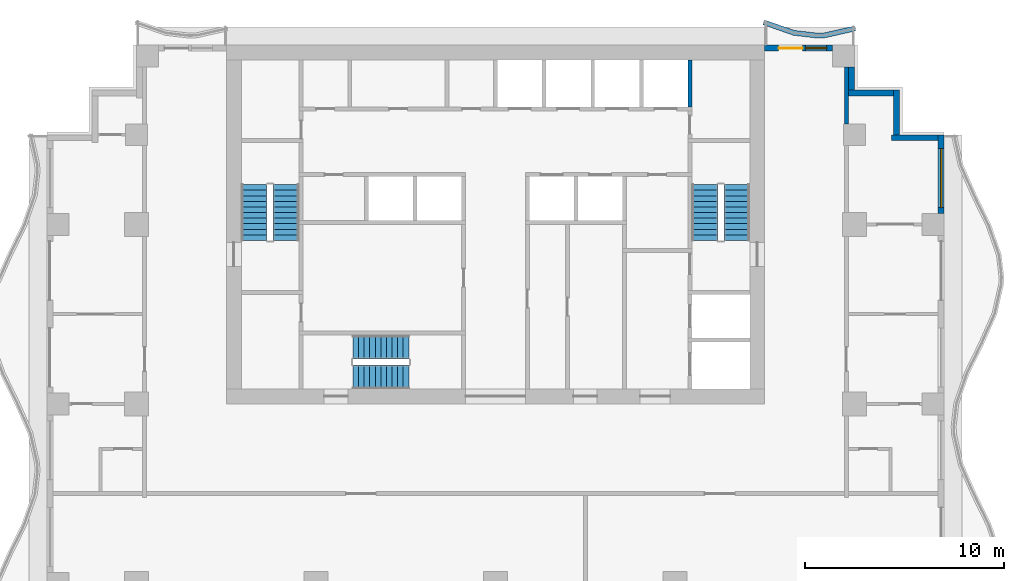
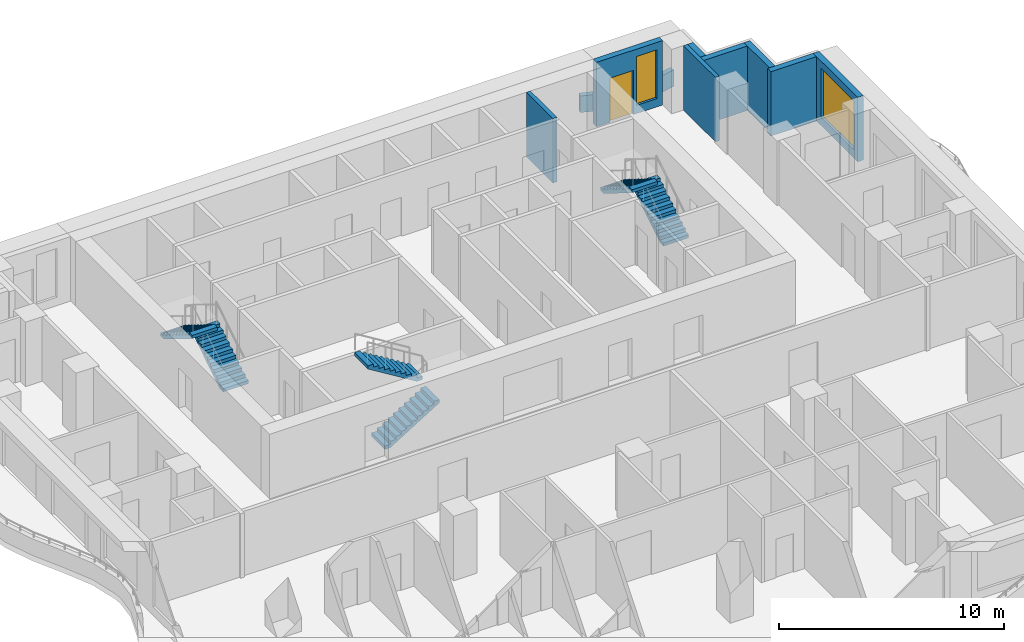
# One storey, part 6 of 10: 9 walls, 6 stair flights, 2 windows, 1 door, 3 openings, 3 elements without a shape of their own.
"""IFC4 building model written with IfcOpenShell, lengths in metres."""

import ifcopenshell
import ifcopenshell.guid

model = None  # the IFC model being written
_history = None  # IfcOwnerHistory: only IFC2X3 demands one
_inside = {}  # id of a spatial element -> (the spatial element, [elements in it])
_under = {}  # id of a project, library or spatial element -> (it, [spatial elements below it])
_declared = {}  # id of a project -> (the project, [libraries it declares])
_typed = {}  # id of a type object -> (the type object, [elements of that type])
_made_of = {}  # id of a material, layer set ... -> (it, [elements and type objects made of it])


def new_model(schema):
    """Start an empty IFC model of exactly this schema.

    Asked for "IFC4X3", IfcOpenShell would pick the latest addendum, in which some entities
    have other attributes; the version numbers below select the first issue.
    IFC2X3 requires an IfcOwnerHistory on every rooted entity: one is made here for all.
    """
    global model, _history
    if schema == "IFC4X3":
        model = ifcopenshell.file(schema_version=(4, 3, 0, 0))
    else:
        model = ifcopenshell.file(schema=schema)
    _inside.clear()
    _under.clear()
    _declared.clear()
    _typed.clear()
    _made_of.clear()
    _history = None
    if model.schema == "IFC2X3":
        org = make("IfcOrganization", Name="unknown")
        user = make(
            "IfcPersonAndOrganization",
            ThePerson=make("IfcPerson", FamilyName="unknown"),
            TheOrganization=org,
        )
        app = make(
            "IfcApplication",
            ApplicationDeveloper=org,
            Version="unknown",
            ApplicationFullName="unknown",
            ApplicationIdentifier="unknown",
        )
        _history = make(
            "IfcOwnerHistory",
            OwningUser=user,
            OwningApplication=app,
            ChangeAction="ADDED",
            CreationDate=0,
        )
    return model


def make(cls, **values):
    """One entity of the class cls with the attributes given. An attribute that is None is left unset."""
    return model.create_entity(
        cls, **{name: value for name, value in values.items() if value is not None}
    )


def rooted(cls, **values):
    """An entity with a GlobalId (a new one), such as an element, a storey or a relation."""
    return make(cls, GlobalId=ifcopenshell.guid.new(), OwnerHistory=_history, **values)


def si_unit(unit_type, name, prefix=None):
    """IfcSIUnit, for example si_unit("LENGTHUNIT", "METRE", prefix="MILLI")."""
    return make("IfcSIUnit", UnitType=unit_type, Prefix=prefix, Name=name)


def assignment(units):
    """IfcUnitAssignment: the units of a project."""
    return None if units is None else make("IfcUnitAssignment", Units=units)


def point(xyz):
    """IfcCartesianPoint."""
    return None if xyz is None else make("IfcCartesianPoint", Coordinates=xyz)


def direction(xyz):
    """IfcDirection."""
    return None if xyz is None else make("IfcDirection", DirectionRatios=xyz)


def frame(location, z_axis=None, x_axis=None):
    """IfcAxis2Placement3D, a coordinate frame: its origin and axes. An axis left out is left unset."""
    return make(
        "IfcAxis2Placement3D",
        Location=point(location),
        Axis=direction(z_axis),
        RefDirection=direction(x_axis),
    )


def frame_2d(location, x_axis=None):
    """IfcAxis2Placement2D, a coordinate frame in the plane: its origin and x axis."""
    return make(
        "IfcAxis2Placement2D", Location=point(location), RefDirection=direction(x_axis)
    )


def origin():
    """The frame at (0, 0, 0) with its axes left unset."""
    return frame((0.0, 0.0, 0.0))


def place(relative_to, where):
    """IfcLocalPlacement: puts the frame where relative to a parent placement (None: the world)."""
    return make(
        "IfcLocalPlacement", PlacementRelTo=relative_to, RelativePlacement=where
    )


def context(
    kind, dimensions, precision=None, world=None, true_north=None, identifier=None
):
    """IfcGeometricRepresentationContext, for example the 3D "Model" context."""
    return make(
        "IfcGeometricRepresentationContext",
        ContextIdentifier=identifier,
        ContextType=kind,
        CoordinateSpaceDimension=dimensions,
        Precision=precision,
        WorldCoordinateSystem=world,
        TrueNorth=true_north,
    )


def subcontext(parent, identifier, kind, view, scale=None):
    """IfcGeometricRepresentationSubContext, for example "Body" below "Model"."""
    return make(
        "IfcGeometricRepresentationSubContext",
        ContextIdentifier=identifier,
        ContextType=kind,
        ParentContext=parent,
        TargetScale=scale,
        TargetView=view,
    )


def project(units=None, contexts=None):
    """IfcProject with its units and contexts."""
    return rooted(
        "IfcProject",
        Name="project",
        RepresentationContexts=contexts,
        UnitsInContext=assignment(units),
    )


def spatial(cls, under=None, at=None, **own):
    """A site, building, storey or space (cls), placed at a placement, below another one or the project."""
    s = rooted(cls, ObjectPlacement=at, **own)
    if under is not None:
        _under.setdefault(under.id(), (under, []))[1].append(s)
    return s


def polyline(points):
    """IfcPolyline through the points."""
    return make("IfcPolyline", Points=[point(p) for p in points])


def profile(cls, at=None, kind="AREA", **sizes):
    """A parametric profile (cls). Its sizes go by their IFC names, for example OverallWidth=200.0."""
    return make(cls, ProfileType=kind, Position=at, **sizes)


def rectangle(**sizes):
    """IfcRectangleProfileDef."""
    return profile("IfcRectangleProfileDef", **sizes)


def outline(outer, holes=None, kind="AREA"):
    """IfcArbitraryClosedProfileDef: a profile drawn as a closed curve; with holes, ...WithVoids."""
    if holes is None:
        return make("IfcArbitraryClosedProfileDef", ProfileType=kind, OuterCurve=outer)
    return make(
        "IfcArbitraryProfileDefWithVoids",
        ProfileType=kind,
        OuterCurve=outer,
        InnerCurves=holes,
    )


def extrude(swept, where, along, depth):
    """IfcExtrudedAreaSolid: the profile swept, set in the frame where, extruded along a direction by depth."""
    return make(
        "IfcExtrudedAreaSolid",
        SweptArea=swept,
        Position=where,
        ExtrudedDirection=direction(along),
        Depth=depth,
    )


def shape(context_of_items, identifier, shape_type, items):
    """IfcShapeRepresentation: the items that make up one representation, for example the "Body"."""
    return make(
        "IfcShapeRepresentation",
        ContextOfItems=context_of_items,
        RepresentationIdentifier=identifier,
        RepresentationType=shape_type,
        Items=items,
    )


def material(Name=None, Category=None):
    """IfcMaterial."""
    return make("IfcMaterial", Name=Name, Category=Category)


def layer(
    of_material, thickness, ventilated=None, Name=None, Category=None, Priority=None
):
    """IfcMaterialLayer: one layer of a wall or slab, of a material (None: an air gap)."""
    return make(
        "IfcMaterialLayer",
        Material=of_material,
        LayerThickness=thickness,
        IsVentilated=ventilated,
        Name=Name,
        Category=Category,
        Priority=Priority,
    )


def layer_set(layers, Name=None):
    """IfcMaterialLayerSet."""
    return make("IfcMaterialLayerSet", MaterialLayers=layers, LayerSetName=Name)


def made_of(thing, what):
    """Note that an element or type object is made of a material, layer set ...; save() writes the relation."""
    if what is not None:
        _made_of.setdefault(what.id(), (what, []))[1].append(thing)
    return thing


def type_object(cls, material=None, **own):
    """A type object (cls), such as IfcWallType, which elements share."""
    return made_of(rooted(cls, **own), material)


def element(
    cls,
    number,
    at=None,
    inside=None,
    cuts=None,
    type_object=None,
    material=None,
    context=None,
    identifier="Body",
    shape_type=None,
    held_by="IfcProductDefinitionShape",
    body=None,
    shapes=None,
    **own,
):
    """One element of the class cls, such as IfcWall. Its Tag is "e" and its number.

    at: its placement. inside: the storey or other place that contains it. cuts: it is an
    opening in that element (IfcRelVoidsElement). A single representation is given by context,
    identifier, shape_type and body (its items); several are given by shapes. held_by: the class
    of the entity that holds the representations. save() writes the other relations.
    """
    e = rooted(cls, Tag="e%d" % number, ObjectPlacement=at, **own)
    if body is not None:
        shapes = [shape(context, identifier, shape_type, body)]
    if shapes is not None:
        e.Representation = make(held_by, Representations=shapes)
    if inside is not None:
        _inside.setdefault(inside.id(), (inside, []))[1].append(e)
    if cuts is not None:
        rooted(
            "IfcRelVoidsElement", RelatingBuildingElement=cuts, RelatedOpeningElement=e
        )
    if type_object is not None:
        _typed.setdefault(type_object.id(), (type_object, []))[1].append(e)
    return made_of(e, material)


def fill(opening, filler):
    """IfcRelFillsElement: the door or window that sits in an opening."""
    return rooted(
        "IfcRelFillsElement",
        RelatingOpeningElement=opening,
        RelatedBuildingElement=filler,
    )


def aggregate(whole, parts):
    """IfcRelAggregates: a whole, such as a stair, and the parts it consists of."""
    return rooted("IfcRelAggregates", RelatingObject=whole, RelatedObjects=parts)


def save(model, path):
    """Write the relations noted so far, then the file.

    IfcRelAggregates (storeys below a building ...), IfcRelContainedInSpatialStructure (elements
    in a storey), IfcRelDefinesByType, IfcRelAssociatesMaterial and IfcRelDeclares: one each for
    every whole, place, type object, material and project.
    """
    for whole, parts in _under.values():
        aggregate(whole, parts)
    for where, things in _inside.values():
        rooted(
            "IfcRelContainedInSpatialStructure",
            RelatedElements=things,
            RelatingStructure=where,
        )
    for kind, things in _typed.values():
        rooted("IfcRelDefinesByType", RelatedObjects=things, RelatingType=kind)
    for what, things in _made_of.values():
        rooted("IfcRelAssociatesMaterial", RelatedObjects=things, RelatingMaterial=what)
    for by, libraries in _declared.values():
        rooted("IfcRelDeclares", RelatingContext=by, RelatedDefinitions=libraries)
    model.write(path)


model = new_model("IFC4")

# Units and contexts
model_context = context("Model", 3, precision=1e-05, world=origin(), true_north=direction((0.0, 1.0)))
body_context = subcontext(model_context, "Body", "Model", "MODEL_VIEW")
ifc_project = project(units=[si_unit("LENGTHUNIT", "METRE"), si_unit("AREAUNIT", "SQUARE_METRE"), si_unit("VOLUMEUNIT", "CUBIC_METRE"), si_unit("PLANEANGLEUNIT", "RADIAN"), si_unit("MASSUNIT", "GRAM", prefix="KILO")], contexts=[model_context])

# Site, building, storey
site_placement = place(None, origin())
site = spatial("IfcSite", under=ifc_project, at=site_placement, CompositionType="ELEMENT")
building_placement = place(site_placement, origin())
building = spatial("IfcBuilding", under=site, at=building_placement, Name="Orbiselva Terraces", CompositionType="ELEMENT")
storey_placement = place(building_placement, frame((0.0, 0.0, 163.0)))
storey = spatial("IfcBuildingStorey", under=building, at=storey_placement, Name="L41", CompositionType="ELEMENT", Elevation=163.0)

# Walls
ifc_material_1 = material(Name="Concrete C40/50", Category="concrete")
ifc_layer_1 = layer(ifc_material_1, 0.2)
ifc_layer_set_1 = layer_set([ifc_layer_1], Name="Concrete C40/50")
wall_type_1 = type_object("IfcWallType", Name="CORE-WALL-SHAFT-200", PredefinedType="PARTITIONING", material=ifc_layer_set_1)
wall_1_placement = place(storey_placement, frame((9.75, 19.4, 0.0), z_axis=(0.0, 0.0, 1.0), x_axis=(0.0, 1.0, 0.0)))
element("IfcWall", 1, at=wall_1_placement, inside=storey, type_object=wall_type_1, Name="L41 core wall 44", PredefinedType="PARTITIONING", context=body_context, shape_type="SweptSolid", body=[
    extrude(rectangle(XDim=2.35, YDim=0.2, at=frame_2d((1.175, 0.0))), origin(), (0.0, 0.0, 1.0), 3.5),
])
ifc_layer_2 = layer(ifc_material_1, 0.25)
ifc_layer_set_2 = layer_set([ifc_layer_2], Name="Concrete C40/50")
wall_type_2 = type_object("IfcWallType", Name="ENV-PLANTER-250x900", PredefinedType="USERDEFINED", material=ifc_layer_set_2)
wall_2_placement = place(storey_placement, origin())
element("IfcWall", 2, at=wall_2_placement, inside=storey, type_object=wall_type_2, Name="Balcony planter L41 NE", ObjectType="PLANTER", PredefinedType="USERDEFINED", context=body_context, shape_type="SweptSolid", body=[
    extrude(outline(polyline([(18.0, 23.451472), (16.5, 23.114774), (16.125, 23.1), (15.0, 23.230792), (13.5, 23.755211), (13.417494, 23.519218), (14.943629, 22.985662), (16.115428, 22.849429), (16.532565, 22.865863), (18.054754, 23.207542), (18.0, 23.451472)])), origin(), (0.0, 0.0, 1.0), 0.9),
])

# Wall, opening, window
ifc_material_2 = material(Name="Terracotta cladding on masonry backing", Category="masonry")
ifc_layer_3 = layer(ifc_material_2, 0.3)
ifc_layer_set_3 = layer_set([ifc_layer_3], Name="Terracotta cladding on masonry backing")
wall_type_3 = type_object("IfcWallType", Name="ENV-WALL-TERRACOTTA-300", PredefinedType="SOLIDWALL", material=ifc_layer_set_3)
wall_3_placement = place(storey_placement, frame((22.35, 18.0, 0.0), z_axis=(0.0, 0.0, 1.0), x_axis=(0.0, -1.0, 0.0)))
wall_3 = element("IfcWall", 3, at=wall_3_placement, inside=storey, type_object=wall_type_3, Name="Facade wall L41 E", PredefinedType="SOLIDWALL", context=body_context, shape_type="SweptSolid", body=[
    extrude(rectangle(XDim=3.95, YDim=0.3, at=frame_2d((1.975, 0.0))), origin(), (0.0, 0.0, 1.0), 3.5),
])
opening_1_placement = place(wall_3_placement, frame((0.7, 0.0, 0.45)))
opening_1 = element("IfcOpeningElement", 4, at=opening_1_placement, cuts=wall_3, Name="Opening WN12", PredefinedType="OPENING", context=body_context, shape_type="SweptSolid", body=[
    extrude(rectangle(XDim=2.95, YDim=2.65, at=frame_2d((1.475, 1.325))), frame((0.0, 0.16, 0.0), z_axis=(0.0, -1.0, 0.0), x_axis=(1.0, 0.0, 0.0)), (0.0, 0.0, 1.0), 0.32),
])
ifc_material_3 = material(Name="Clear low-e glazing in aluminium frame", Category="aluminium")
window_type_1 = type_object("IfcWindowType", Name="WINDOW 2950 X 2650 S450", PartitioningType="TRIPLE_PANEL_VERTICAL", PredefinedType="WINDOW", material=ifc_material_3)
window_1_placement = place(opening_1_placement, origin())
window_1 = element("IfcWindow", 5, at=window_1_placement, inside=storey, type_object=window_type_1, Name="Window L41 E", OverallHeight=2.65, OverallWidth=2.95, PartitioningType="SINGLE_PANEL", PredefinedType="WINDOW", context=body_context, shape_type="SweptSolid", body=[
    extrude(rectangle(XDim=2.95, YDim=2.65, at=frame_2d((1.475, 1.325))), frame((0.0, 0.03, 0.0), z_axis=(0.0, -1.0, 0.0), x_axis=(1.0, 0.0, 0.0)), (0.0, 0.0, 1.0), 0.06),
])
fill(opening_1, window_1)

# Walls
wall_4_placement = place(storey_placement, frame((19.85, 17.85, 0.0), z_axis=(0.0, 0.0, 1.0), x_axis=(1.0, 0.0, 0.0)))
element("IfcWall", 6, at=wall_4_placement, inside=storey, type_object=wall_type_3, Name="Facade wall L41 STEP", PredefinedType="SOLIDWALL", context=body_context, shape_type="SweptSolid", body=[
    extrude(rectangle(XDim=2.35, YDim=0.3, at=frame_2d((1.175, 0.0))), origin(), (0.0, 0.0, 1.0), 3.5),
])
wall_5_placement = place(storey_placement, frame((20.1, 20.25, 0.0), z_axis=(0.0, 0.0, 1.0), x_axis=(0.0, -1.0, 0.0)))
element("IfcWall", 7, at=wall_5_placement, inside=storey, type_object=wall_type_3, Name="Facade wall L41 STEP", PredefinedType="SOLIDWALL", context=body_context, shape_type="SweptSolid", body=[
    extrude(rectangle(XDim=2.25, YDim=0.3, at=frame_2d((1.125, 0.0))), origin(), (0.0, 0.0, 1.0), 3.5),
])
wall_6_placement = place(storey_placement, frame((17.6, 20.1, 0.0), z_axis=(0.0, 0.0, 1.0), x_axis=(1.0, 0.0, 0.0)))
element("IfcWall", 8, at=wall_6_placement, inside=storey, type_object=wall_type_3, Name="Facade wall L41 STEP", PredefinedType="SOLIDWALL", context=body_context, shape_type="SweptSolid", body=[
    extrude(rectangle(XDim=2.35, YDim=0.3, at=frame_2d((1.175, 0.0))), origin(), (0.0, 0.0, 1.0), 3.5),
])
wall_7_placement = place(storey_placement, frame((17.85, 21.4, 0.0), z_axis=(0.0, 0.0, 1.0), x_axis=(0.0, -1.0, 0.0)))
element("IfcWall", 9, at=wall_7_placement, inside=storey, type_object=wall_type_3, Name="Facade wall L41 STEP", PredefinedType="SOLIDWALL", context=body_context, shape_type="SweptSolid", body=[
    extrude(rectangle(XDim=1.15, YDim=0.3, at=frame_2d((0.575, 0.0))), origin(), (0.0, 0.0, 1.0), 3.5),
])

# Wall, openings, door, window
wall_8_placement = place(storey_placement, frame((13.5, 22.35, 0.0), z_axis=(0.0, 0.0, 1.0), x_axis=(1.0, 0.0, 0.0)))
wall_8 = element("IfcWall", 10, at=wall_8_placement, inside=storey, type_object=wall_type_3, Name="Facade wall L41 NE", PredefinedType="SOLIDWALL", context=body_context, shape_type="SweptSolid", body=[
    extrude(rectangle(XDim=3.4, YDim=0.3, at=frame_2d((1.7, 0.0))), origin(), (0.0, 0.0, 1.0), 3.5),
])
opening_2_placement = place(wall_8_placement, frame((2.05, 0.0, 0.45)))
opening_2 = element("IfcOpeningElement", 11, at=opening_2_placement, cuts=wall_8, Name="Opening WN13", PredefinedType="OPENING", context=body_context, shape_type="SweptSolid", body=[
    extrude(rectangle(XDim=1.05, YDim=2.65, at=frame_2d((0.525, 1.325))), frame((0.0, 0.16, 0.0), z_axis=(0.0, -1.0, 0.0), x_axis=(1.0, 0.0, 0.0)), (0.0, 0.0, 1.0), 0.32),
])
opening_3_placement = place(wall_8_placement, frame((0.7, 0.0, 0.0)))
opening_3 = element("IfcOpeningElement", 12, at=opening_3_placement, cuts=wall_8, Name="Opening Z3-D-E11", PredefinedType="OPENING", context=body_context, shape_type="SweptSolid", body=[
    extrude(rectangle(XDim=1.2, YDim=2.4, at=frame_2d((0.6, 1.2))), frame((0.0, 0.16, 0.0), z_axis=(0.0, -1.0, 0.0), x_axis=(1.0, 0.0, 0.0)), (0.0, 0.0, 1.0), 0.32),
])
door_type = type_object("IfcDoorType", Name="BALCONY DOOR 1200 X 2400", OperationType="DOUBLE_DOOR_SLIDING", PredefinedType="DOOR", material=ifc_material_3)
door_placement = place(opening_3_placement, origin())
door = element("IfcDoor", 13, at=door_placement, inside=storey, type_object=door_type, Name="Z3-D-E11", OperationType="SINGLE_SWING_LEFT", OverallHeight=2.4, OverallWidth=1.2, PredefinedType="DOOR", context=body_context, shape_type="SweptSolid", body=[
    extrude(rectangle(XDim=1.2, YDim=2.4, at=frame_2d((0.6, 1.2))), frame((0.0, 0.025, 0.0), z_axis=(0.0, -1.0, 0.0), x_axis=(1.0, 0.0, 0.0)), (0.0, 0.0, 1.0), 0.05),
])
fill(opening_3, door)
window_type_2 = type_object("IfcWindowType", Name="WINDOW 1050 X 2650 S450", PartitioningType="TRIPLE_PANEL_VERTICAL", PredefinedType="WINDOW", material=ifc_material_3)
window_2_placement = place(opening_2_placement, origin())
window_2 = element("IfcWindow", 14, at=window_2_placement, inside=storey, type_object=window_type_2, Name="Window L41 NE", OverallHeight=2.65, OverallWidth=1.05, PartitioningType="SINGLE_PANEL", PredefinedType="WINDOW", context=body_context, shape_type="SweptSolid", body=[
    extrude(rectangle(XDim=1.05, YDim=2.65, at=frame_2d((0.525, 1.325))), frame((0.0, 0.03, 0.0), z_axis=(0.0, -1.0, 0.0), x_axis=(1.0, 0.0, 0.0)), (0.0, 0.0, 1.0), 0.06),
])
fill(opening_2, window_2)

# Wall
ifc_material_4 = material(Name="Plasterboard on steel stud partition", Category="steel")
ifc_layer_4 = layer(ifc_material_4, 0.2)
ifc_layer_set_4 = layer_set([ifc_layer_4], Name="Plasterboard on steel stud partition")
wall_type_4 = type_object("IfcWallType", Name="UNIT-ENTRANCE-WALL-200", PredefinedType="PARTITIONING", material=ifc_layer_set_4)
wall_9_placement = place(storey_placement, frame((17.6, 18.55, 0.0), z_axis=(0.0, 0.0, 1.0), x_axis=(0.0, 1.0, 0.0)))
element("IfcWall", 15, at=wall_9_placement, inside=storey, type_object=wall_type_4, Name="PARTITION L41-063", PredefinedType="PARTITIONING", context=body_context, shape_type="SweptSolid", body=[
    extrude(rectangle(XDim=2.85, YDim=0.2, at=frame_2d((1.425, 0.0))), origin(), (0.0, 0.0, 1.0), 3.5),
])

# Stair, stair flights
stair_type_1 = type_object("IfcStairType", Name="CORE-STAIR-1200", PredefinedType="HALF_TURN_STAIR", material=ifc_material_1)
stair_1_placement = place(storey_placement, origin())
stair_1 = element("IfcStair", 16, at=stair_1_placement, inside=storey, type_object=stair_type_1, Name="L41 Exit Stair S3", PredefinedType="HALF_TURN_STAIR")
stair_flight_type_1 = type_object("IfcStairFlightType", Name="CORE-STAIR-FLIGHT-1200", PredefinedType="STRAIGHT", material=ifc_material_1)
stair_flight_1_placement = place(storey_placement, frame((-7.15, 5.85, 0.0), z_axis=(0.0, 0.0, 1.0), x_axis=(1.0, 0.0, 0.0)))
stair_flight_1 = element("IfcStairFlight", 17, at=stair_flight_1_placement, type_object=stair_flight_type_1, Name="S3 flight 1", NumberOfRisers=11, NumberOfTreads=10, PredefinedType="STRAIGHT", RiserHeight=0.172727273, TreadLength=0.28, context=body_context, shape_type="SweptSolid", body=[
    extrude(outline(polyline([(0.0, 0.0), (0.0, 0.172727), (0.28, 0.172727), (0.28, 0.345455), (0.56, 0.345455), (0.56, 0.518182), (0.84, 0.518182), (0.84, 0.690909), (1.12, 0.690909), (1.12, 0.863636), (1.4, 0.863636), (1.4, 1.036364), (1.68, 1.036364), (1.68, 1.209091), (1.96, 1.209091), (1.96, 1.381818), (2.24, 1.381818), (2.24, 1.554545), (2.52, 1.554545), (2.52, 1.727273), (2.8, 1.727273), (2.8, 1.9), (2.8, 1.551028), (0.285702, 0.0), (0.0, 0.0)])), frame((0.0, 0.6, 0.0), z_axis=(0.0, -1.0, 0.0), x_axis=(1.0, 0.0, 0.0)), (0.0, 0.0, 1.0), 1.2),
])
stair_flight_2_placement = place(storey_placement, frame((-4.35, 7.35, 1.9), z_axis=(0.0, 0.0, 1.0), x_axis=(-1.0, 0.0, 0.0)))
stair_flight_2 = element("IfcStairFlight", 18, at=stair_flight_2_placement, type_object=stair_flight_type_1, Name="S3 flight 2", NumberOfRisers=11, NumberOfTreads=10, PredefinedType="STRAIGHT", RiserHeight=0.172727273, TreadLength=0.28, context=body_context, shape_type="SweptSolid", body=[
    extrude(outline(polyline([(0.0, 0.0), (0.0, 0.172727), (0.28, 0.172727), (0.28, 0.345455), (0.56, 0.345455), (0.56, 0.518182), (0.84, 0.518182), (0.84, 0.690909), (1.12, 0.690909), (1.12, 0.863636), (1.4, 0.863636), (1.4, 1.036364), (1.68, 1.036364), (1.68, 1.209091), (1.96, 1.209091), (1.96, 1.381818), (2.24, 1.381818), (2.24, 1.554545), (2.52, 1.554545), (2.52, 1.727273), (2.8, 1.727273), (2.8, 1.9), (2.8, 1.551028), (0.285702, 0.0), (0.0, 0.0)])), frame((0.0, 0.6, 0.0), z_axis=(0.0, -1.0, 0.0), x_axis=(1.0, 0.0, 0.0)), (0.0, 0.0, 1.0), 1.2),
])
aggregate(stair_1, [stair_flight_1, stair_flight_2])

stair_type_2 = type_object("IfcStairType", Name="CORE-STAIR-1300", PredefinedType="HALF_TURN_STAIR", material=ifc_material_1)
stair_2_placement = place(storey_placement, origin())
stair_2 = element("IfcStair", 19, at=stair_2_placement, inside=storey, type_object=stair_type_2, Name="L41 Exit Stair S1", PredefinedType="HALF_TURN_STAIR")
stair_flight_type_2 = type_object("IfcStairFlightType", Name="CORE-STAIR-FLIGHT-1300", PredefinedType="STRAIGHT", material=ifc_material_1)
stair_flight_3_placement = place(storey_placement, frame((-10.5, 12.7, 0.0), z_axis=(0.0, 0.0, 1.0), x_axis=(0.0, 1.0, 0.0)))
stair_flight_3 = element("IfcStairFlight", 20, at=stair_flight_3_placement, type_object=stair_flight_type_2, Name="S1 flight 1", NumberOfRisers=11, NumberOfTreads=10, PredefinedType="STRAIGHT", RiserHeight=0.172727273, TreadLength=0.28, context=body_context, shape_type="SweptSolid", body=[
    extrude(outline(polyline([(0.0, 0.0), (0.0, 0.172727), (0.28, 0.172727), (0.28, 0.345455), (0.56, 0.345455), (0.56, 0.518182), (0.84, 0.518182), (0.84, 0.690909), (1.12, 0.690909), (1.12, 0.863636), (1.4, 0.863636), (1.4, 1.036364), (1.68, 1.036364), (1.68, 1.209091), (1.96, 1.209091), (1.96, 1.381818), (2.24, 1.381818), (2.24, 1.554545), (2.52, 1.554545), (2.52, 1.727273), (2.8, 1.727273), (2.8, 1.9), (2.8, 1.551028), (0.285702, 0.0), (0.0, 0.0)])), frame((0.0, 0.65, 0.0), z_axis=(0.0, -1.0, 0.0), x_axis=(1.0, 0.0, 0.0)), (0.0, 0.0, 1.0), 1.3),
])
stair_flight_4_placement = place(storey_placement, frame((-12.1, 15.5, 1.9), z_axis=(0.0, 0.0, 1.0), x_axis=(0.0, -1.0, 0.0)))
stair_flight_4 = element("IfcStairFlight", 21, at=stair_flight_4_placement, type_object=stair_flight_type_2, Name="S1 flight 2", NumberOfRisers=11, NumberOfTreads=10, PredefinedType="STRAIGHT", RiserHeight=0.172727273, TreadLength=0.28, context=body_context, shape_type="SweptSolid", body=[
    extrude(outline(polyline([(0.0, 0.0), (0.0, 0.172727), (0.28, 0.172727), (0.28, 0.345455), (0.56, 0.345455), (0.56, 0.518182), (0.84, 0.518182), (0.84, 0.690909), (1.12, 0.690909), (1.12, 0.863636), (1.4, 0.863636), (1.4, 1.036364), (1.68, 1.036364), (1.68, 1.209091), (1.96, 1.209091), (1.96, 1.381818), (2.24, 1.381818), (2.24, 1.554545), (2.52, 1.554545), (2.52, 1.727273), (2.8, 1.727273), (2.8, 1.9), (2.8, 1.551028), (0.285702, 0.0), (0.0, 0.0)])), frame((0.0, 0.65, 0.0), z_axis=(0.0, -1.0, 0.0), x_axis=(1.0, 0.0, 0.0)), (0.0, 0.0, 1.0), 1.3),
])
aggregate(stair_2, [stair_flight_3, stair_flight_4])

stair_3_placement = place(storey_placement, origin())
stair_3 = element("IfcStair", 22, at=stair_3_placement, inside=storey, type_object=stair_type_2, Name="L41 Exit Stair S2", PredefinedType="HALF_TURN_STAIR")
stair_flight_5_placement = place(storey_placement, frame((12.1, 12.7, 0.0), z_axis=(0.0, 0.0, 1.0), x_axis=(0.0, 1.0, 0.0)))
stair_flight_5 = element("IfcStairFlight", 23, at=stair_flight_5_placement, type_object=stair_flight_type_2, Name="S2 flight 1", NumberOfRisers=11, NumberOfTreads=10, PredefinedType="STRAIGHT", RiserHeight=0.172727273, TreadLength=0.28, context=body_context, shape_type="SweptSolid", body=[
    extrude(outline(polyline([(0.0, 0.0), (0.0, 0.172727), (0.28, 0.172727), (0.28, 0.345455), (0.56, 0.345455), (0.56, 0.518182), (0.84, 0.518182), (0.84, 0.690909), (1.12, 0.690909), (1.12, 0.863636), (1.4, 0.863636), (1.4, 1.036364), (1.68, 1.036364), (1.68, 1.209091), (1.96, 1.209091), (1.96, 1.381818), (2.24, 1.381818), (2.24, 1.554545), (2.52, 1.554545), (2.52, 1.727273), (2.8, 1.727273), (2.8, 1.9), (2.8, 1.551028), (0.285702, 0.0), (0.0, 0.0)])), frame((0.0, 0.65, 0.0), z_axis=(0.0, -1.0, 0.0), x_axis=(1.0, 0.0, 0.0)), (0.0, 0.0, 1.0), 1.3),
])
stair_flight_6_placement = place(storey_placement, frame((10.5, 15.5, 1.9), z_axis=(0.0, 0.0, 1.0), x_axis=(0.0, -1.0, 0.0)))
stair_flight_6 = element("IfcStairFlight", 24, at=stair_flight_6_placement, type_object=stair_flight_type_2, Name="S2 flight 2", NumberOfRisers=11, NumberOfTreads=10, PredefinedType="STRAIGHT", RiserHeight=0.172727273, TreadLength=0.28, context=body_context, shape_type="SweptSolid", body=[
    extrude(outline(polyline([(0.0, 0.0), (0.0, 0.172727), (0.28, 0.172727), (0.28, 0.345455), (0.56, 0.345455), (0.56, 0.518182), (0.84, 0.518182), (0.84, 0.690909), (1.12, 0.690909), (1.12, 0.863636), (1.4, 0.863636), (1.4, 1.036364), (1.68, 1.036364), (1.68, 1.209091), (1.96, 1.209091), (1.96, 1.381818), (2.24, 1.381818), (2.24, 1.554545), (2.52, 1.554545), (2.52, 1.727273), (2.8, 1.727273), (2.8, 1.9), (2.8, 1.551028), (0.285702, 0.0), (0.0, 0.0)])), frame((0.0, 0.65, 0.0), z_axis=(0.0, -1.0, 0.0), x_axis=(1.0, 0.0, 0.0)), (0.0, 0.0, 1.0), 1.3),
])
aggregate(stair_3, [stair_flight_5, stair_flight_6])

save(model, "model.ifc")
